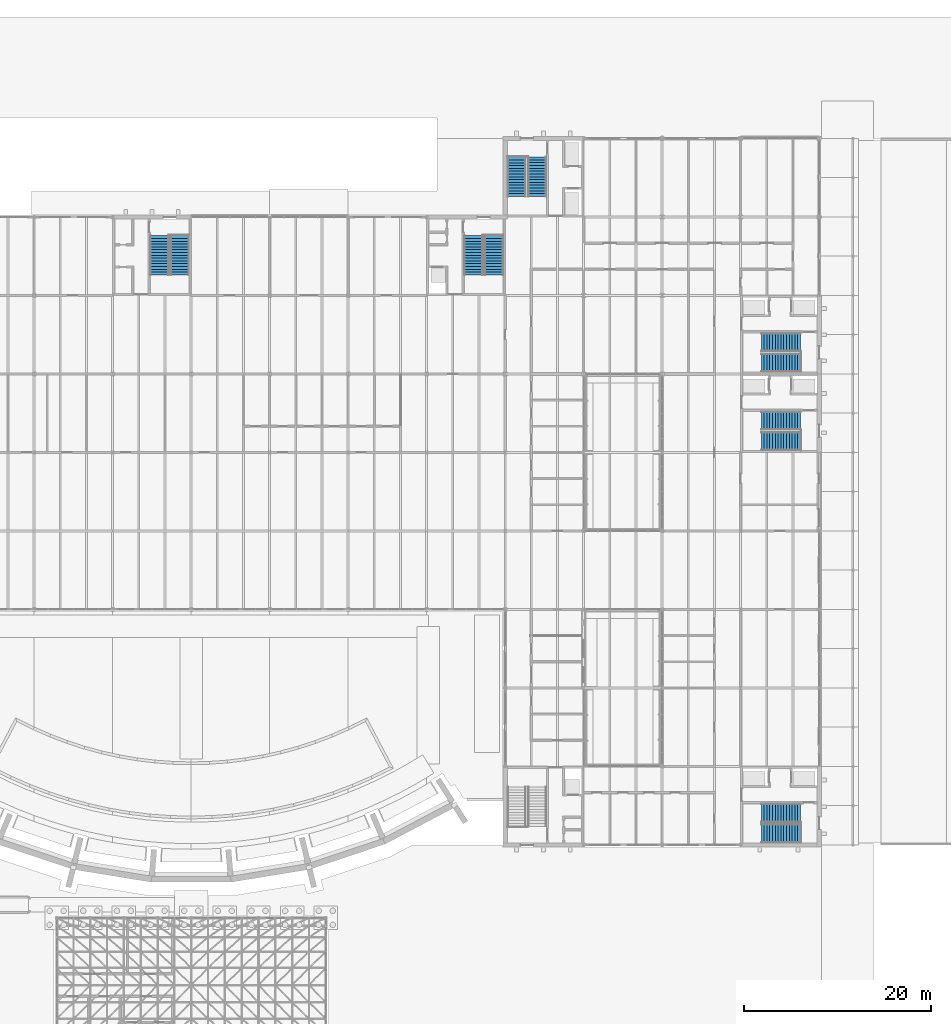
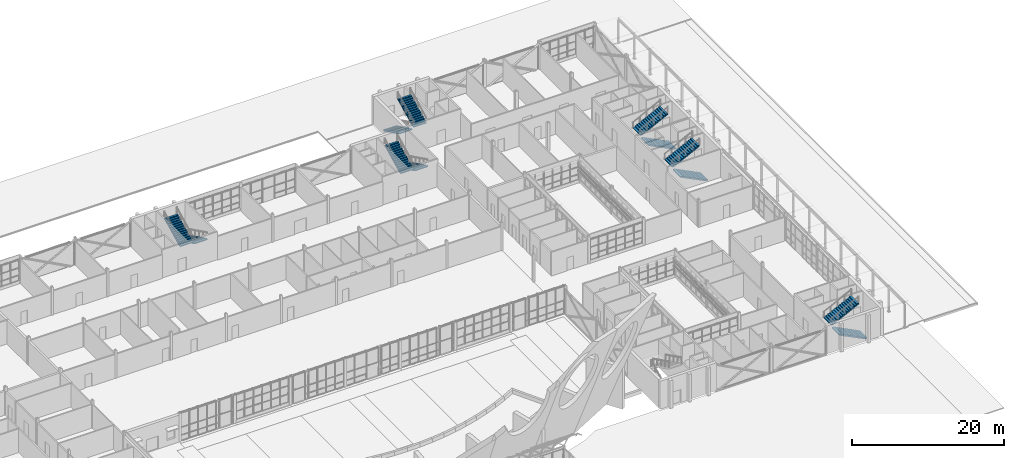
# One storey, part 98 of 116: 12 stair flights, 6 elements without a shape of their own.
"""IFC4 building model written with IfcOpenShell, lengths in metres."""

from ifc_helpers import new_model, si_unit, direction, frame, origin, place, context, subcontext, project, spatial, polyline, outline, extrude, material, type_object, element, aggregate, save


model = new_model("IFC4")

# Units and contexts
model_context = context("Model", 3, precision=1e-05, world=origin(), true_north=direction((0.0, 1.0)))
body_context = subcontext(model_context, "Body", "Model", "MODEL_VIEW")
ifc_project = project(units=[si_unit("LENGTHUNIT", "METRE"), si_unit("AREAUNIT", "SQUARE_METRE"), si_unit("VOLUMEUNIT", "CUBIC_METRE"), si_unit("PLANEANGLEUNIT", "RADIAN"), si_unit("MASSUNIT", "GRAM", prefix="KILO")], contexts=[model_context])

# Site, building, storey
site_placement = place(None, origin())
site = spatial("IfcSite", under=ifc_project, at=site_placement, CompositionType="ELEMENT")
building_placement = place(site_placement, origin())
building = spatial("IfcBuilding", under=site, at=building_placement, Name="Ardhachandra Cancer Care Centre", CompositionType="ELEMENT")
storey_placement = place(building_placement, origin())
storey = spatial("IfcBuildingStorey", under=building, at=storey_placement, Name="L00", CompositionType="ELEMENT", Elevation=0.0)

# Stair, stair flights
ifc_material_1 = material(Name="Concrete M40", Category="concrete")
stair_type = type_object("IfcStairType", Name="Dog-leg stair 2000", PredefinedType="HALF_TURN_STAIR", material=ifc_material_1)
stair_1_placement = place(storey_placement, origin())
stair_1 = element("IfcStair", 1, at=stair_1_placement, inside=storey, type_object=stair_type, Name="Stair K7 L00-L01", PredefinedType="HALF_TURN_STAIR")
ifc_material_2 = material(Name="Concrete M40", Category="concrete")
stair_flight_type = type_object("IfcStairFlightType", Name="Stair flight 2000", PredefinedType="STRAIGHT", material=ifc_material_2)
stair_flight_1_placement = place(storey_placement, frame((110.39990234375, 94.60009765625, 0.0), z_axis=(0.0, 0.0, 1.0), x_axis=(0.0, -1.0, 0.0)))
stair_flight_1 = element("IfcStairFlight", 2, at=stair_flight_1_placement, type_object=stair_flight_type, Name="stair K7 L00-L01 flight 1", NumberOfRisers=15, NumberOfTreads=14, PredefinedType="STRAIGHT", RiserHeight=0.15, TreadLength=0.3, context=body_context, shape_type="SweptSolid", body=[
    extrude(outline(polyline([(0.0, 0.0), (0.0, 0.14990234375), (0.300048828125, 0.14990234375), (0.300048828125, 0.300048828125), (0.60009765625, 0.300048828125), (0.60009765625, 0.449951171875), (0.89990234375, 0.449951171875), (0.89990234375, 0.60009765625), (1.199951171875, 0.60009765625), (1.199951171875, 0.75), (1.5, 0.75), (1.5, 0.89990234375), (1.800048828125, 0.89990234375), (1.800048828125, 1.050048828125), (2.10009765625, 1.050048828125), (2.10009765625, 1.199951171875), (2.39990234375, 1.199951171875), (2.39990234375, 1.35009765625), (2.699951171875, 1.35009765625), (2.699951171875, 1.5), (3.0, 1.5), (3.0, 1.64990234375), (3.300048828125, 1.64990234375), (3.300048828125, 1.800048828125), (3.60009765625, 1.800048828125), (3.60009765625, 1.949951171875), (3.89990234375, 1.949951171875), (3.89990234375, 2.10009765625), (4.199951171875, 2.10009765625), (4.199951171875, 2.25), (4.199951171875, 1.932373046875), (0.335205078125, 0.0), (0.0, 0.0)])), frame((0.0, 1.0, 0.0), z_axis=(0.0, -1.0, 0.0), x_axis=(1.0, 0.0, 0.0)), (0.0, 0.0, 1.0), 2.0),
])
stair_flight_2_placement = place(storey_placement, frame((108.199951171875, 90.39990234375, 2.25), z_axis=(0.0, 0.0, 1.0), x_axis=(0.0, 1.0, 0.0)))
stair_flight_2 = element("IfcStairFlight", 3, at=stair_flight_2_placement, type_object=stair_flight_type, Name="stair K7 L00-L01 flight 2", NumberOfRisers=15, NumberOfTreads=14, PredefinedType="STRAIGHT", RiserHeight=0.15, TreadLength=0.3, context=body_context, shape_type="SweptSolid", body=[
    extrude(outline(polyline([(0.0, 0.0), (0.0, 0.14990234375), (0.300048828125, 0.14990234375), (0.300048828125, 0.300048828125), (0.60009765625, 0.300048828125), (0.60009765625, 0.449951171875), (0.89990234375, 0.449951171875), (0.89990234375, 0.60009765625), (1.199951171875, 0.60009765625), (1.199951171875, 0.75), (1.5, 0.75), (1.5, 0.89990234375), (1.800048828125, 0.89990234375), (1.800048828125, 1.050048828125), (2.10009765625, 1.050048828125), (2.10009765625, 1.199951171875), (2.39990234375, 1.199951171875), (2.39990234375, 1.35009765625), (2.699951171875, 1.35009765625), (2.699951171875, 1.5), (3.0, 1.5), (3.0, 1.64990234375), (3.300048828125, 1.64990234375), (3.300048828125, 1.800048828125), (3.60009765625, 1.800048828125), (3.60009765625, 1.949951171875), (3.89990234375, 1.949951171875), (3.89990234375, 2.10009765625), (4.199951171875, 2.10009765625), (4.199951171875, 2.25), (4.199951171875, 1.932373046875), (0.335205078125, 0.0), (0.0, 0.0)])), frame((0.0, 1.0, 0.0), z_axis=(0.0, -1.0, 0.0), x_axis=(1.0, 0.0, 0.0)), (0.0, 0.0, 1.0), 2.0),
])
aggregate(stair_1, [stair_flight_1, stair_flight_2])

stair_2_placement = place(storey_placement, origin())
stair_2 = element("IfcStair", 4, at=stair_2_placement, inside=storey, type_object=stair_type, Name="Stair K8 L00-L01", PredefinedType="HALF_TURN_STAIR")
stair_flight_3_placement = place(storey_placement, frame((76.800048828125, 94.60009765625, 0.0), z_axis=(0.0, 0.0, 1.0), x_axis=(0.0, -1.0, 0.0)))
stair_flight_3 = element("IfcStairFlight", 5, at=stair_flight_3_placement, type_object=stair_flight_type, Name="stair K8 L00-L01 flight 1", NumberOfRisers=15, NumberOfTreads=14, PredefinedType="STRAIGHT", RiserHeight=0.15, TreadLength=0.3, context=body_context, shape_type="SweptSolid", body=[
    extrude(outline(polyline([(0.0, 0.0), (0.0, 0.14990234375), (0.300048828125, 0.14990234375), (0.300048828125, 0.300048828125), (0.60009765625, 0.300048828125), (0.60009765625, 0.449951171875), (0.89990234375, 0.449951171875), (0.89990234375, 0.60009765625), (1.199951171875, 0.60009765625), (1.199951171875, 0.75), (1.5, 0.75), (1.5, 0.89990234375), (1.800048828125, 0.89990234375), (1.800048828125, 1.050048828125), (2.10009765625, 1.050048828125), (2.10009765625, 1.199951171875), (2.39990234375, 1.199951171875), (2.39990234375, 1.35009765625), (2.699951171875, 1.35009765625), (2.699951171875, 1.5), (3.0, 1.5), (3.0, 1.64990234375), (3.300048828125, 1.64990234375), (3.300048828125, 1.800048828125), (3.60009765625, 1.800048828125), (3.60009765625, 1.949951171875), (3.89990234375, 1.949951171875), (3.89990234375, 2.10009765625), (4.199951171875, 2.10009765625), (4.199951171875, 2.25), (4.199951171875, 1.932373046875), (0.335205078125, 0.0), (0.0, 0.0)])), frame((0.0, 1.0, 0.0), z_axis=(0.0, -1.0, 0.0), x_axis=(1.0, 0.0, 0.0)), (0.0, 0.0, 1.0), 2.0),
])
stair_flight_4_placement = place(storey_placement, frame((74.60009765625, 90.39990234375, 2.25), z_axis=(0.0, 0.0, 1.0), x_axis=(0.0, 1.0, 0.0)))
stair_flight_4 = element("IfcStairFlight", 6, at=stair_flight_4_placement, type_object=stair_flight_type, Name="stair K8 L00-L01 flight 2", NumberOfRisers=15, NumberOfTreads=14, PredefinedType="STRAIGHT", RiserHeight=0.15, TreadLength=0.3, context=body_context, shape_type="SweptSolid", body=[
    extrude(outline(polyline([(0.0, 0.0), (0.0, 0.14990234375), (0.300048828125, 0.14990234375), (0.300048828125, 0.300048828125), (0.60009765625, 0.300048828125), (0.60009765625, 0.449951171875), (0.89990234375, 0.449951171875), (0.89990234375, 0.60009765625), (1.199951171875, 0.60009765625), (1.199951171875, 0.75), (1.5, 0.75), (1.5, 0.89990234375), (1.800048828125, 0.89990234375), (1.800048828125, 1.050048828125), (2.10009765625, 1.050048828125), (2.10009765625, 1.199951171875), (2.39990234375, 1.199951171875), (2.39990234375, 1.35009765625), (2.699951171875, 1.35009765625), (2.699951171875, 1.5), (3.0, 1.5), (3.0, 1.64990234375), (3.300048828125, 1.64990234375), (3.300048828125, 1.800048828125), (3.60009765625, 1.800048828125), (3.60009765625, 1.949951171875), (3.89990234375, 1.949951171875), (3.89990234375, 2.10009765625), (4.199951171875, 2.10009765625), (4.199951171875, 2.25), (4.199951171875, 1.932373046875), (0.335205078125, 0.0), (0.0, 0.0)])), frame((0.0, 1.0, 0.0), z_axis=(0.0, -1.0, 0.0), x_axis=(1.0, 0.0, 0.0)), (0.0, 0.0, 1.0), 2.0),
])
aggregate(stair_2, [stair_flight_3, stair_flight_4])

stair_3_placement = place(storey_placement, origin())
stair_3 = element("IfcStair", 7, at=stair_3_placement, inside=storey, type_object=stair_type, Name="Stair K9 L00-L01", PredefinedType="HALF_TURN_STAIR")
stair_flight_5_placement = place(storey_placement, frame((143.199951171875, 30.625, 0.0), z_axis=(0.0, 0.0, 1.0), x_axis=(-1.0, 0.0, 0.0)))
stair_flight_5 = element("IfcStairFlight", 8, at=stair_flight_5_placement, type_object=stair_flight_type, Name="stair K9 L00-L01 flight 1", NumberOfRisers=15, NumberOfTreads=14, PredefinedType="STRAIGHT", RiserHeight=0.15, TreadLength=0.3, context=body_context, shape_type="SweptSolid", body=[
    extrude(outline(polyline([(0.0, 0.0), (0.0, 0.14990234375), (0.300048828125, 0.14990234375), (0.300048828125, 0.300048828125), (0.60009765625, 0.300048828125), (0.60009765625, 0.449951171875), (0.89990234375, 0.449951171875), (0.89990234375, 0.60009765625), (1.199951171875, 0.60009765625), (1.199951171875, 0.75), (1.5, 0.75), (1.5, 0.89990234375), (1.800048828125, 0.89990234375), (1.800048828125, 1.050048828125), (2.10009765625, 1.050048828125), (2.10009765625, 1.199951171875), (2.39990234375, 1.199951171875), (2.39990234375, 1.35009765625), (2.699951171875, 1.35009765625), (2.699951171875, 1.5), (3.0, 1.5), (3.0, 1.64990234375), (3.300048828125, 1.64990234375), (3.300048828125, 1.800048828125), (3.60009765625, 1.800048828125), (3.60009765625, 1.949951171875), (3.89990234375, 1.949951171875), (3.89990234375, 2.10009765625), (4.199951171875, 2.10009765625), (4.199951171875, 2.25), (4.199951171875, 1.932373046875), (0.335205078125, 0.0), (0.0, 0.0)])), frame((0.0, 1.0, 0.0), z_axis=(0.0, -1.0, 0.0), x_axis=(1.0, 0.0, 0.0)), (0.0, 0.0, 1.0), 2.0),
])
stair_flight_6_placement = place(storey_placement, frame((139.0, 32.824951171875, 2.25), z_axis=(0.0, 0.0, 1.0), x_axis=(1.0, 0.0, 0.0)))
stair_flight_6 = element("IfcStairFlight", 9, at=stair_flight_6_placement, type_object=stair_flight_type, Name="stair K9 L00-L01 flight 2", NumberOfRisers=15, NumberOfTreads=14, PredefinedType="STRAIGHT", RiserHeight=0.15, TreadLength=0.3, context=body_context, shape_type="SweptSolid", body=[
    extrude(outline(polyline([(0.0, 0.0), (0.0, 0.14990234375), (0.300048828125, 0.14990234375), (0.300048828125, 0.300048828125), (0.60009765625, 0.300048828125), (0.60009765625, 0.449951171875), (0.89990234375, 0.449951171875), (0.89990234375, 0.60009765625), (1.199951171875, 0.60009765625), (1.199951171875, 0.75), (1.5, 0.75), (1.5, 0.89990234375), (1.800048828125, 0.89990234375), (1.800048828125, 1.050048828125), (2.10009765625, 1.050048828125), (2.10009765625, 1.199951171875), (2.39990234375, 1.199951171875), (2.39990234375, 1.35009765625), (2.699951171875, 1.35009765625), (2.699951171875, 1.5), (3.0, 1.5), (3.0, 1.64990234375), (3.300048828125, 1.64990234375), (3.300048828125, 1.800048828125), (3.60009765625, 1.800048828125), (3.60009765625, 1.949951171875), (3.89990234375, 1.949951171875), (3.89990234375, 2.10009765625), (4.199951171875, 2.10009765625), (4.199951171875, 2.25), (4.199951171875, 1.932373046875), (0.335205078125, 0.0), (0.0, 0.0)])), frame((0.0, 1.0, 0.0), z_axis=(0.0, -1.0, 0.0), x_axis=(1.0, 0.0, 0.0)), (0.0, 0.0, 1.0), 2.0),
])
aggregate(stair_3, [stair_flight_5, stair_flight_6])

stair_4_placement = place(storey_placement, origin())
stair_4 = element("IfcStair", 10, at=stair_4_placement, inside=storey, type_object=stair_type, Name="Stair K10 L00-L01", PredefinedType="HALF_TURN_STAIR")
stair_flight_7_placement = place(storey_placement, frame((143.199951171875, 72.60009765625, 0.0), z_axis=(0.0, 0.0, 1.0), x_axis=(-1.0, 0.0, 0.0)))
stair_flight_7 = element("IfcStairFlight", 11, at=stair_flight_7_placement, type_object=stair_flight_type, Name="stair K10 L00-L01 flight 1", NumberOfRisers=15, NumberOfTreads=14, PredefinedType="STRAIGHT", RiserHeight=0.15, TreadLength=0.3, context=body_context, shape_type="SweptSolid", body=[
    extrude(outline(polyline([(0.0, 0.0), (0.0, 0.14990234375), (0.300048828125, 0.14990234375), (0.300048828125, 0.300048828125), (0.60009765625, 0.300048828125), (0.60009765625, 0.449951171875), (0.89990234375, 0.449951171875), (0.89990234375, 0.60009765625), (1.199951171875, 0.60009765625), (1.199951171875, 0.75), (1.5, 0.75), (1.5, 0.89990234375), (1.800048828125, 0.89990234375), (1.800048828125, 1.050048828125), (2.10009765625, 1.050048828125), (2.10009765625, 1.199951171875), (2.39990234375, 1.199951171875), (2.39990234375, 1.35009765625), (2.699951171875, 1.35009765625), (2.699951171875, 1.5), (3.0, 1.5), (3.0, 1.64990234375), (3.300048828125, 1.64990234375), (3.300048828125, 1.800048828125), (3.60009765625, 1.800048828125), (3.60009765625, 1.949951171875), (3.89990234375, 1.949951171875), (3.89990234375, 2.10009765625), (4.199951171875, 2.10009765625), (4.199951171875, 2.25), (4.199951171875, 1.932373046875), (0.335205078125, 0.0), (0.0, 0.0)])), frame((0.0, 1.0, 0.0), z_axis=(0.0, -1.0, 0.0), x_axis=(1.0, 0.0, 0.0)), (0.0, 0.0, 1.0), 2.0),
])
stair_flight_8_placement = place(storey_placement, frame((139.0, 74.800048828125, 2.25), z_axis=(0.0, 0.0, 1.0), x_axis=(1.0, 0.0, 0.0)))
stair_flight_8 = element("IfcStairFlight", 12, at=stair_flight_8_placement, type_object=stair_flight_type, Name="stair K10 L00-L01 flight 2", NumberOfRisers=15, NumberOfTreads=14, PredefinedType="STRAIGHT", RiserHeight=0.15, TreadLength=0.3, context=body_context, shape_type="SweptSolid", body=[
    extrude(outline(polyline([(0.0, 0.0), (0.0, 0.14990234375), (0.300048828125, 0.14990234375), (0.300048828125, 0.300048828125), (0.60009765625, 0.300048828125), (0.60009765625, 0.449951171875), (0.89990234375, 0.449951171875), (0.89990234375, 0.60009765625), (1.199951171875, 0.60009765625), (1.199951171875, 0.75), (1.5, 0.75), (1.5, 0.89990234375), (1.800048828125, 0.89990234375), (1.800048828125, 1.050048828125), (2.10009765625, 1.050048828125), (2.10009765625, 1.199951171875), (2.39990234375, 1.199951171875), (2.39990234375, 1.35009765625), (2.699951171875, 1.35009765625), (2.699951171875, 1.5), (3.0, 1.5), (3.0, 1.64990234375), (3.300048828125, 1.64990234375), (3.300048828125, 1.800048828125), (3.60009765625, 1.800048828125), (3.60009765625, 1.949951171875), (3.89990234375, 1.949951171875), (3.89990234375, 2.10009765625), (4.199951171875, 2.10009765625), (4.199951171875, 2.25), (4.199951171875, 1.932373046875), (0.335205078125, 0.0), (0.0, 0.0)])), frame((0.0, 1.0, 0.0), z_axis=(0.0, -1.0, 0.0), x_axis=(1.0, 0.0, 0.0)), (0.0, 0.0, 1.0), 2.0),
])
aggregate(stair_4, [stair_flight_7, stair_flight_8])

stair_5_placement = place(storey_placement, origin())
stair_5 = element("IfcStair", 13, at=stair_5_placement, inside=storey, type_object=stair_type, Name="Stair K12 L00-L01", PredefinedType="HALF_TURN_STAIR")
stair_flight_9_placement = place(storey_placement, frame((112.824951171875, 103.0, 0.0), z_axis=(0.0, 0.0, 1.0), x_axis=(0.0, -1.0, 0.0)))
stair_flight_9 = element("IfcStairFlight", 14, at=stair_flight_9_placement, type_object=stair_flight_type, Name="stair K12 L00-L01 flight 1", NumberOfRisers=15, NumberOfTreads=14, PredefinedType="STRAIGHT", RiserHeight=0.15, TreadLength=0.3, context=body_context, shape_type="SweptSolid", body=[
    extrude(outline(polyline([(0.0, 0.0), (0.0, 0.14990234375), (0.300048828125, 0.14990234375), (0.300048828125, 0.300048828125), (0.60009765625, 0.300048828125), (0.60009765625, 0.449951171875), (0.89990234375, 0.449951171875), (0.89990234375, 0.60009765625), (1.199951171875, 0.60009765625), (1.199951171875, 0.75), (1.5, 0.75), (1.5, 0.89990234375), (1.800048828125, 0.89990234375), (1.800048828125, 1.050048828125), (2.10009765625, 1.050048828125), (2.10009765625, 1.199951171875), (2.39990234375, 1.199951171875), (2.39990234375, 1.35009765625), (2.699951171875, 1.35009765625), (2.699951171875, 1.5), (3.0, 1.5), (3.0, 1.64990234375), (3.300048828125, 1.64990234375), (3.300048828125, 1.800048828125), (3.60009765625, 1.800048828125), (3.60009765625, 1.949951171875), (3.89990234375, 1.949951171875), (3.89990234375, 2.10009765625), (4.199951171875, 2.10009765625), (4.199951171875, 2.25), (4.199951171875, 1.932373046875), (0.335205078125, 0.0), (0.0, 0.0)])), frame((0.0, 1.0, 0.0), z_axis=(0.0, -1.0, 0.0), x_axis=(1.0, 0.0, 0.0)), (0.0, 0.0, 1.0), 2.0),
])
stair_flight_10_placement = place(storey_placement, frame((115.02490234375, 98.800048828125, 2.25), z_axis=(0.0, 0.0, 1.0), x_axis=(0.0, 1.0, 0.0)))
stair_flight_10 = element("IfcStairFlight", 15, at=stair_flight_10_placement, type_object=stair_flight_type, Name="stair K12 L00-L01 flight 2", NumberOfRisers=15, NumberOfTreads=14, PredefinedType="STRAIGHT", RiserHeight=0.15, TreadLength=0.3, context=body_context, shape_type="SweptSolid", body=[
    extrude(outline(polyline([(0.0, 0.0), (0.0, 0.14990234375), (0.300048828125, 0.14990234375), (0.300048828125, 0.300048828125), (0.60009765625, 0.300048828125), (0.60009765625, 0.449951171875), (0.89990234375, 0.449951171875), (0.89990234375, 0.60009765625), (1.199951171875, 0.60009765625), (1.199951171875, 0.75), (1.5, 0.75), (1.5, 0.89990234375), (1.800048828125, 0.89990234375), (1.800048828125, 1.050048828125), (2.10009765625, 1.050048828125), (2.10009765625, 1.199951171875), (2.39990234375, 1.199951171875), (2.39990234375, 1.35009765625), (2.699951171875, 1.35009765625), (2.699951171875, 1.5), (3.0, 1.5), (3.0, 1.64990234375), (3.300048828125, 1.64990234375), (3.300048828125, 1.800048828125), (3.60009765625, 1.800048828125), (3.60009765625, 1.949951171875), (3.89990234375, 1.949951171875), (3.89990234375, 2.10009765625), (4.199951171875, 2.10009765625), (4.199951171875, 2.25), (4.199951171875, 1.932373046875), (0.335205078125, 0.0), (0.0, 0.0)])), frame((0.0, 1.0, 0.0), z_axis=(0.0, -1.0, 0.0), x_axis=(1.0, 0.0, 0.0)), (0.0, 0.0, 1.0), 2.0),
])
aggregate(stair_5, [stair_flight_9, stair_flight_10])

stair_6_placement = place(storey_placement, origin())
stair_6 = element("IfcStair", 16, at=stair_6_placement, inside=storey, type_object=stair_type, Name="Stair K13 L00-L01", PredefinedType="HALF_TURN_STAIR")
stair_flight_11_placement = place(storey_placement, frame((143.199951171875, 81.0, 0.0), z_axis=(0.0, 0.0, 1.0), x_axis=(-1.0, 0.0, 0.0)))
stair_flight_11 = element("IfcStairFlight", 17, at=stair_flight_11_placement, type_object=stair_flight_type, Name="stair K13 L00-L01 flight 1", NumberOfRisers=15, NumberOfTreads=14, PredefinedType="STRAIGHT", RiserHeight=0.15, TreadLength=0.3, context=body_context, shape_type="SweptSolid", body=[
    extrude(outline(polyline([(0.0, 0.0), (0.0, 0.14990234375), (0.300048828125, 0.14990234375), (0.300048828125, 0.300048828125), (0.60009765625, 0.300048828125), (0.60009765625, 0.449951171875), (0.89990234375, 0.449951171875), (0.89990234375, 0.60009765625), (1.199951171875, 0.60009765625), (1.199951171875, 0.75), (1.5, 0.75), (1.5, 0.89990234375), (1.800048828125, 0.89990234375), (1.800048828125, 1.050048828125), (2.10009765625, 1.050048828125), (2.10009765625, 1.199951171875), (2.39990234375, 1.199951171875), (2.39990234375, 1.35009765625), (2.699951171875, 1.35009765625), (2.699951171875, 1.5), (3.0, 1.5), (3.0, 1.64990234375), (3.300048828125, 1.64990234375), (3.300048828125, 1.800048828125), (3.60009765625, 1.800048828125), (3.60009765625, 1.949951171875), (3.89990234375, 1.949951171875), (3.89990234375, 2.10009765625), (4.199951171875, 2.10009765625), (4.199951171875, 2.25), (4.199951171875, 1.932373046875), (0.335205078125, 0.0), (0.0, 0.0)])), frame((0.0, 1.0, 0.0), z_axis=(0.0, -1.0, 0.0), x_axis=(1.0, 0.0, 0.0)), (0.0, 0.0, 1.0), 2.0),
])
stair_flight_12_placement = place(storey_placement, frame((139.0, 83.199951171875, 2.25), z_axis=(0.0, 0.0, 1.0), x_axis=(1.0, 0.0, 0.0)))
stair_flight_12 = element("IfcStairFlight", 18, at=stair_flight_12_placement, type_object=stair_flight_type, Name="stair K13 L00-L01 flight 2", NumberOfRisers=15, NumberOfTreads=14, PredefinedType="STRAIGHT", RiserHeight=0.15, TreadLength=0.3, context=body_context, shape_type="SweptSolid", body=[
    extrude(outline(polyline([(0.0, 0.0), (0.0, 0.14990234375), (0.300048828125, 0.14990234375), (0.300048828125, 0.300048828125), (0.60009765625, 0.300048828125), (0.60009765625, 0.449951171875), (0.89990234375, 0.449951171875), (0.89990234375, 0.60009765625), (1.199951171875, 0.60009765625), (1.199951171875, 0.75), (1.5, 0.75), (1.5, 0.89990234375), (1.800048828125, 0.89990234375), (1.800048828125, 1.050048828125), (2.10009765625, 1.050048828125), (2.10009765625, 1.199951171875), (2.39990234375, 1.199951171875), (2.39990234375, 1.35009765625), (2.699951171875, 1.35009765625), (2.699951171875, 1.5), (3.0, 1.5), (3.0, 1.64990234375), (3.300048828125, 1.64990234375), (3.300048828125, 1.800048828125), (3.60009765625, 1.800048828125), (3.60009765625, 1.949951171875), (3.89990234375, 1.949951171875), (3.89990234375, 2.10009765625), (4.199951171875, 2.10009765625), (4.199951171875, 2.25), (4.199951171875, 1.932373046875), (0.335205078125, 0.0), (0.0, 0.0)])), frame((0.0, 1.0, 0.0), z_axis=(0.0, -1.0, 0.0), x_axis=(1.0, 0.0, 0.0)), (0.0, 0.0, 1.0), 2.0),
])
aggregate(stair_6, [stair_flight_11, stair_flight_12])

save(model, "model.ifc")
